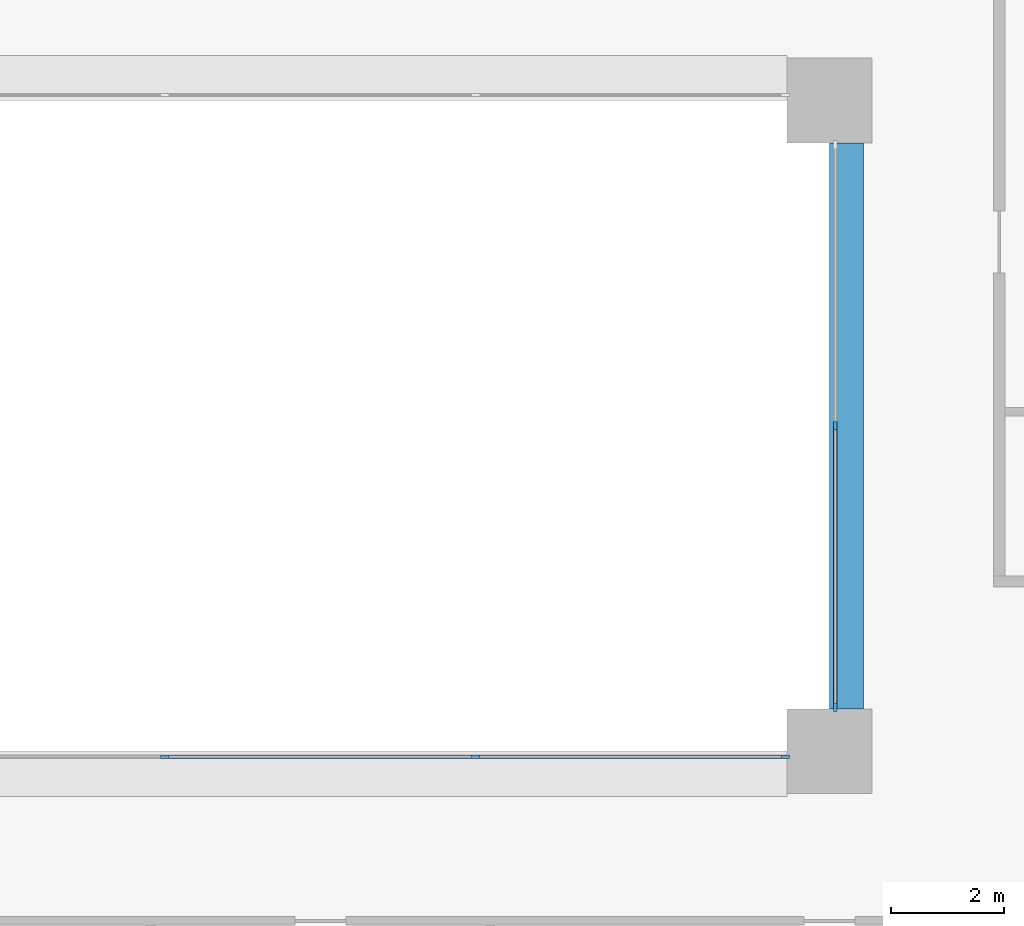
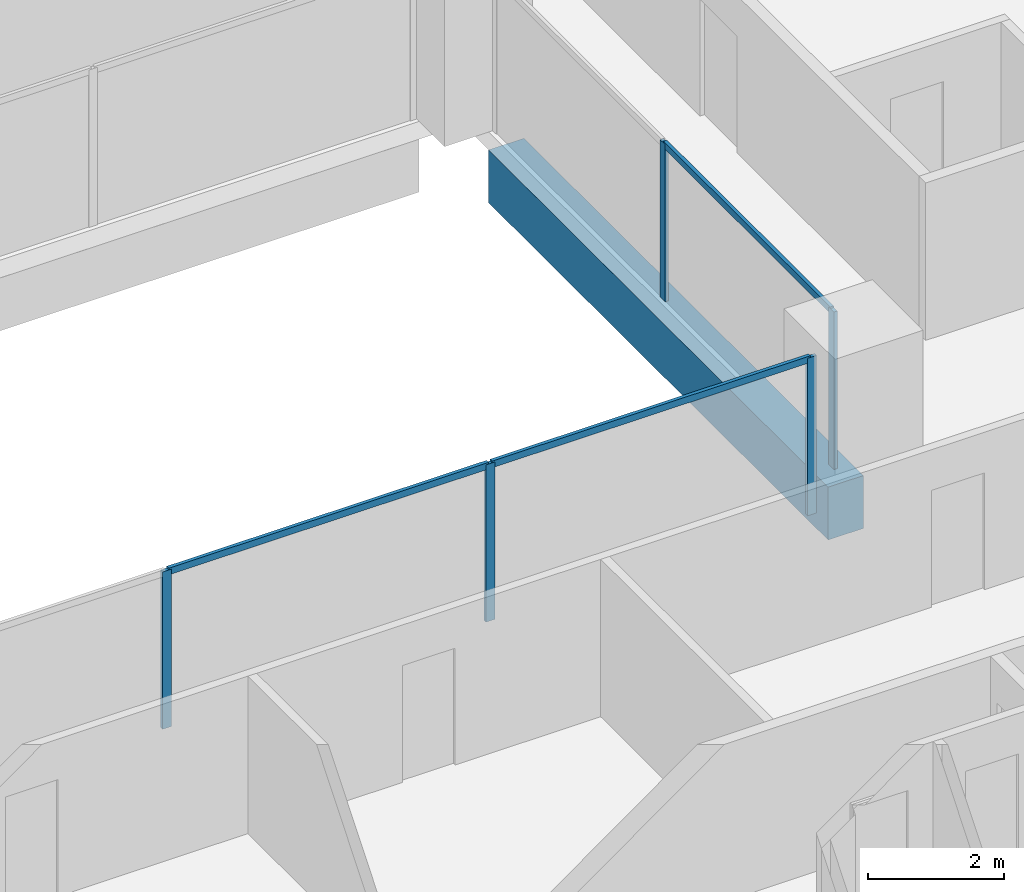
# One storey, part 4 of 20: 8 members, 1 beam, 2 elements without a shape of their own.
"""IFC4 building model written with IfcOpenShell, lengths in metres."""

from ifc_helpers import new_model, si_unit, direction, frame, origin, origin_2d, place, context, subcontext, project, spatial, rectangle, extrude, material, layer, layer_set, material_profile, profile_set, type_object, element, aggregate, save


model = new_model("IFC4")

# Units and contexts
model_context = context("Model", 3, precision=1e-05, world=origin(), true_north=direction((0.0, 1.0)))
body_context = subcontext(model_context, "Body", "Model", "MODEL_VIEW")
ifc_project = project(units=[si_unit("LENGTHUNIT", "METRE"), si_unit("AREAUNIT", "SQUARE_METRE"), si_unit("VOLUMEUNIT", "CUBIC_METRE"), si_unit("PLANEANGLEUNIT", "RADIAN"), si_unit("MASSUNIT", "GRAM", prefix="KILO")], contexts=[model_context])

# Site, building, storey
site_placement = place(None, origin())
site = spatial("IfcSite", under=ifc_project, at=site_placement, CompositionType="ELEMENT")
building_placement = place(site_placement, origin())
building = spatial("IfcBuilding", under=site, at=building_placement, Name="Brigalow Station Residences", CompositionType="ELEMENT")
storey_placement = place(building_placement, frame((0.0, 0.0, 57.300048828125)))
storey = spatial("IfcBuildingStorey", under=building, at=storey_placement, Name="L16", CompositionType="ELEMENT", Elevation=57.300048828125)

# Beam
ifc_material_1 = material(Name="Concrete C65", Category="concrete")
ifc_material_profile_1 = material_profile(ifc_material_1, rectangle(XDim=0.60009765625, YDim=0.949951171875, at=origin_2d()), Name="RC600x950")
ifc_profile_set_1 = profile_set([ifc_material_profile_1], Name="Concrete C65")
beam_type = type_object("IfcBeamType", Name="ATRIUM EDGE GIRDER 600x950 C65", PredefinedType="BEAM", material=ifc_profile_set_1)
beam_placement = place(storey_placement, frame((45.300048828125, 24.75, -0.795166015625), z_axis=(0.0, 1.0, 0.0), x_axis=(-1.0, 0.0, 0.0)))
element("IfcBeam", 1, at=beam_placement, inside=storey, type_object=beam_type, Name="ATRIUM EDGE GIRDER 5 L16", PredefinedType="BEAM", context=body_context, shape_type="SweptSolid", body=[
    extrude(rectangle(XDim=0.60009765625, YDim=0.949951171875, at=origin_2d()), origin(), (0.0, 0.0, 1.0), 10.0),
])

# Curtain wall, members
ifc_material_2 = material(Name="Aluminium", Category="aluminium")
ifc_layer = layer(ifc_material_2, 0.14990234375)
ifc_layer_set = layer_set([ifc_layer], Name="ATRIUM FIRE-RATED GLAZING CURTAIN WALL")
curtain_wall_type = type_object("IfcCurtainWallType", Name="ATRIUM FIRE-RATED GLAZING CURTAIN WALL", PredefinedType="NOTDEFINED", material=ifc_layer_set)
curtain_wall_1_placement = place(storey_placement, origin())
curtain_wall_1 = element("IfcCurtainWall", 2, at=curtain_wall_1_placement, inside=storey, type_object=curtain_wall_type, Name="L16/cw/atrium-S", PredefinedType="NOTDEFINED")
ifc_material_3 = material(Name="Aluminium", Category="aluminium")
ifc_material_profile_2 = material_profile(ifc_material_3, rectangle(XDim=0.06005859375, YDim=0.14990234375, at=origin_2d()), Name="ATRIUM FIRE-RATED GLAZING MULLION 60x150")
ifc_profile_set_2 = profile_set([ifc_material_profile_2], Name="Aluminium")
member_type_1 = type_object("IfcMemberType", Name="ATRIUM FIRE-RATED GLAZING MULLION 60x150", PredefinedType="MULLION", material=ifc_profile_set_2)
member_1_placement = place(storey_placement, frame((33.25, 23.89990234375, 0.0), z_axis=(0.0, 0.0, 1.0), x_axis=(0.0, 1.0, 0.0)))
member_1 = element("IfcMember", 3, at=member_1_placement, type_object=member_type_1, Name="L16/cw/atrium-S/M01", PredefinedType="MULLION", context=body_context, shape_type="SweptSolid", body=[
    extrude(rectangle(XDim=0.06005859375, YDim=0.14990234375, at=origin_2d()), origin(), (0.0, 0.0, 1.0), 2.829833984375),
])
member_2_placement = place(storey_placement, frame((38.75, 23.89990234375, 0.0), z_axis=(0.0, 0.0, 1.0), x_axis=(0.0, 1.0, 0.0)))
member_2 = element("IfcMember", 4, at=member_2_placement, type_object=member_type_1, Name="L16/cw/atrium-S/M02", PredefinedType="MULLION", context=body_context, shape_type="SweptSolid", body=[
    extrude(rectangle(XDim=0.06005859375, YDim=0.14990234375, at=origin_2d()), origin(), (0.0, 0.0, 1.0), 2.829833984375),
])
member_3_placement = place(storey_placement, frame((44.219970703125, 23.89990234375, 0.0), z_axis=(0.0, 0.0, 1.0), x_axis=(0.0, 1.0, 0.0)))
member_3 = element("IfcMember", 5, at=member_3_placement, type_object=member_type_1, Name="L16/cw/atrium-S/M03", PredefinedType="MULLION", context=body_context, shape_type="SweptSolid", body=[
    extrude(rectangle(XDim=0.06005859375, YDim=0.14990234375, at=origin_2d()), origin(), (0.0, 0.0, 1.0), 2.829833984375),
])

curtain_wall_2_placement = place(storey_placement, origin())
curtain_wall_2 = element("IfcCurtainWall", 6, at=curtain_wall_2_placement, inside=storey, type_object=curtain_wall_type, Name="L16/cw/atrium-E", PredefinedType="NOTDEFINED")
member_4_placement = place(storey_placement, frame((45.10009765625, 24.780029296875, 0.0), z_axis=(0.0, 0.0, 1.0), x_axis=(-1.0, 0.0, 0.0)))
member_4 = element("IfcMember", 7, at=member_4_placement, type_object=member_type_1, Name="L16/cw/atrium-E/M00", PredefinedType="MULLION", context=body_context, shape_type="SweptSolid", body=[
    extrude(rectangle(XDim=0.06005859375, YDim=0.14990234375, at=origin_2d()), origin(), (0.0, 0.0, 1.0), 2.829833984375),
])
member_5_placement = place(storey_placement, frame((45.10009765625, 29.75, 0.0), z_axis=(0.0, 0.0, 1.0), x_axis=(-1.0, 0.0, 0.0)))
member_5 = element("IfcMember", 8, at=member_5_placement, type_object=member_type_1, Name="L16/cw/atrium-E/M01", PredefinedType="MULLION", context=body_context, shape_type="SweptSolid", body=[
    extrude(rectangle(XDim=0.06005859375, YDim=0.14990234375, at=origin_2d()), origin(), (0.0, 0.0, 1.0), 2.829833984375),
])

# Member
ifc_material_4 = material(Name="Aluminium", Category="aluminium")
ifc_material_profile_3 = material_profile(ifc_material_4, rectangle(XDim=0.06005859375, YDim=0.1201171875, at=origin_2d()), Name="ATRIUM FIRE-RATED GLAZING TRANSOM 60x120")
ifc_profile_set_3 = profile_set([ifc_material_profile_3], Name="Aluminium")
member_type_2 = type_object("IfcMemberType", Name="ATRIUM FIRE-RATED GLAZING TRANSOM 60x120", PredefinedType="USERDEFINED", material=ifc_profile_set_3)
member_6_placement = place(storey_placement, frame((33.280029296875, 23.89990234375, 2.800048828125), z_axis=(1.0, 0.0, 0.0), x_axis=(0.0, 1.0, 0.0)))
member_6 = element("IfcMember", 9, at=member_6_placement, type_object=member_type_2, Name="L16/cw/atrium-S/T01-00", ObjectType="TRANSOM", PredefinedType="USERDEFINED", context=body_context, shape_type="SweptSolid", body=[
    extrude(rectangle(XDim=0.06005859375, YDim=0.1201171875, at=origin_2d()), origin(), (0.0, 0.0, 1.0), 5.43994140625),
])

member_7_placement = place(storey_placement, frame((38.780029296875, 23.89990234375, 2.800048828125), z_axis=(1.0, 0.0, 0.0), x_axis=(0.0, 1.0, 0.0)))
member_7 = element("IfcMember", 10, at=member_7_placement, type_object=member_type_2, Name="L16/cw/atrium-S/T02-00", ObjectType="TRANSOM", PredefinedType="USERDEFINED", context=body_context, shape_type="SweptSolid", body=[
    extrude(rectangle(XDim=0.06005859375, YDim=0.1201171875, at=origin_2d()), origin(), (0.0, 0.0, 1.0), 5.409912109375),
])

aggregate(curtain_wall_1, [member_1, member_2, member_3, member_6, member_7])

member_8_placement = place(storey_placement, frame((45.10009765625, 24.81005859375, 2.800048828125), z_axis=(0.0, 1.0, 0.0), x_axis=(-1.0, 0.0, 0.0)))
member_8 = element("IfcMember", 11, at=member_8_placement, type_object=member_type_2, Name="L16/cw/atrium-E/T00-00", ObjectType="TRANSOM", PredefinedType="USERDEFINED", context=body_context, shape_type="SweptSolid", body=[
    extrude(rectangle(XDim=0.06005859375, YDim=0.1201171875, at=origin_2d()), origin(), (0.0, 0.0, 1.0), 4.909912109375),
])

aggregate(curtain_wall_2, [member_4, member_5, member_8])

save(model, "model.ifc")
